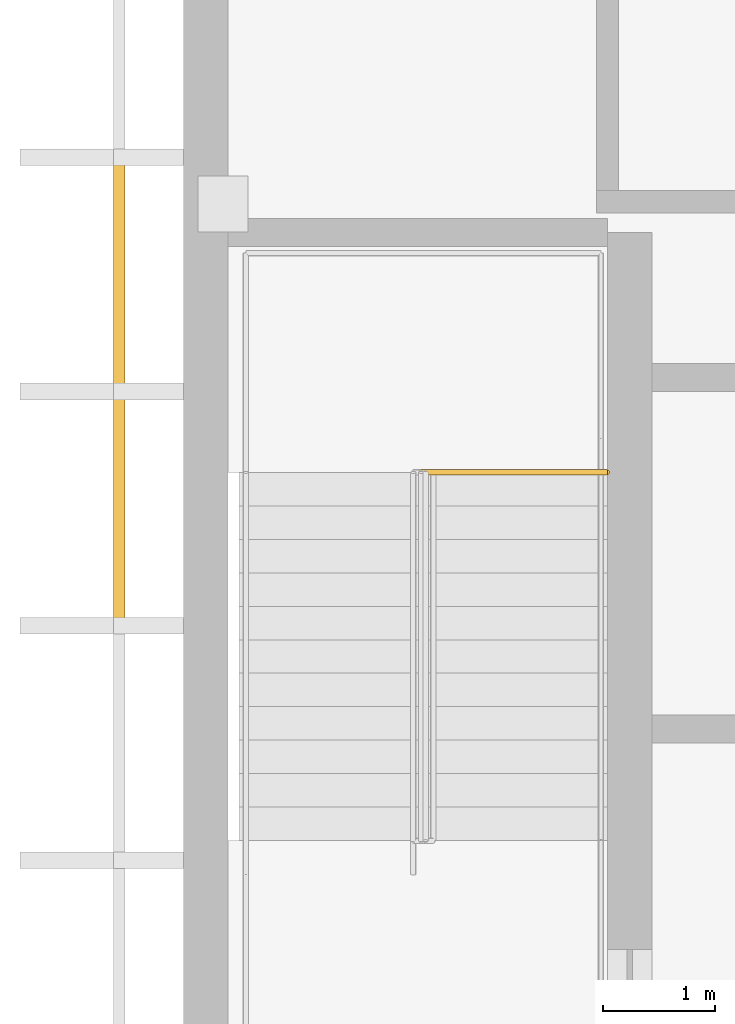
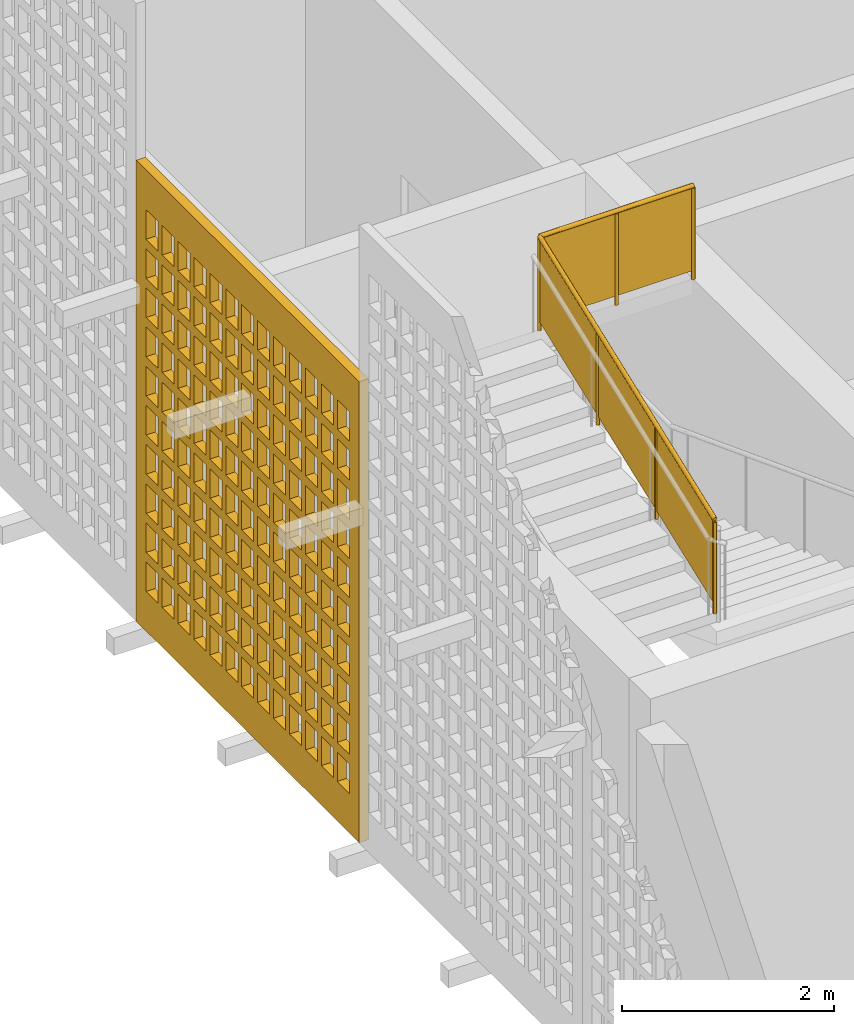
# One storey, part 11 of 23: 1 railing, 1 shading device, 1 opening.
"""IFC4 building model written with IfcOpenShell, lengths in metres."""

from ifc_helpers import new_model, si_unit, direction, frame, origin, origin_2d, place, context, subcontext, project, spatial, polyline, rectangle, circle, outline, extrude, material, layer, layer_set, type_object, element, save


model = new_model("IFC4")

# Units and contexts
model_context = context("Model", 3, precision=1e-05, world=origin(), true_north=direction((0.0, 1.0)))
body_context = subcontext(model_context, "Body", "Model", "MODEL_VIEW")
ifc_project = project(units=[si_unit("LENGTHUNIT", "METRE"), si_unit("AREAUNIT", "SQUARE_METRE"), si_unit("VOLUMEUNIT", "CUBIC_METRE"), si_unit("PLANEANGLEUNIT", "RADIAN"), si_unit("MASSUNIT", "GRAM", prefix="KILO")], contexts=[model_context])

# Site, building, storey
site_placement = place(None, origin())
site = spatial("IfcSite", under=ifc_project, at=site_placement, CompositionType="ELEMENT")
building_placement = place(site_placement, origin())
building = spatial("IfcBuilding", under=site, at=building_placement, Name="Rulbaag Community and Learning Centre", CompositionType="ELEMENT")
storey_placement = place(building_placement, frame((0.0, 0.0, 64.800048828125)))
storey = spatial("IfcBuildingStorey", under=building, at=storey_placement, Name="L17", CompositionType="ELEMENT", Elevation=64.800048828125)

# Railing
ifc_material_1 = material(Name="Galvanised mild steel", Category="steel")
railing_type = type_object("IfcRailingType", Name="GR-1100 GUARD 1100", PredefinedType="GUARDRAIL", material=ifc_material_1)
railing_placement = place(storey_placement, frame((144.929931640625, 94.675048828125, 2.84716796875)))
element("IfcRailing", 1, at=railing_placement, inside=storey, type_object=railing_type, Name="Guard ST1 L17 G3", PredefinedType="GUARDRAIL", context=body_context, shape_type="SweptSolid", body=[
    extrude(circle(Radius=0.02490234375, at=origin_2d()), frame((0.0, 0.0, 1.0751953125), z_axis=(0.0, 0.93490891941, 0.354887746208), x_axis=(-1.0, 0.0, 0.0)), (0.0, 0.0, 1.0), 3.52978515625),
    extrude(circle(Radius=0.02490234375, at=origin_2d()), frame((0.0, 3.300048828125, 2.32763671875), z_axis=(1.0, 0.0, 0.0), x_axis=(0.0, 1.0, 0.0)), (0.0, 0.0, 1.0), 1.670166015625),
    extrude(circle(Radius=0.02001953125, at=origin_2d()), origin(), (0.0, 0.0, 1.0), 1.050048828125),
    extrude(circle(Radius=0.02001953125, at=origin_2d()), frame((0.0, 1.10009765625, 0.41748046875)), (0.0, 0.0, 1.0), 1.050048828125),
    extrude(circle(Radius=0.02001953125, at=origin_2d()), frame((0.0, 2.199951171875, 0.835205078125)), (0.0, 0.0, 1.0), 1.050048828125),
    extrude(circle(Radius=0.02001953125, at=origin_2d()), frame((0.0, 3.300048828125, 1.252685546875)), (0.0, 0.0, 1.0), 1.050048828125),
    extrude(circle(Radius=0.02001953125, at=origin_2d()), frame((0.8349609375, 3.300048828125, 1.252685546875)), (0.0, 0.0, 1.0), 1.050048828125),
    extrude(circle(Radius=0.02001953125, at=origin_2d()), frame((1.670166015625, 3.300048828125, 1.252685546875)), (0.0, 0.0, 1.0), 1.050048828125),
    extrude(outline(polyline([(0.0, 0.0), (3.300048828125, 1.252685546875), (3.300048828125, 2.20263671875), (0.0, 0.949951171875), (0.0, 0.0)])), frame((-0.0048828125, 0.0, 0.10009765625), z_axis=(1.0, 0.0, 0.0), x_axis=(0.0, 1.0, 0.0)), (0.0, 0.0, 1.0), 0.010009765625),
    extrude(outline(polyline([(0.0, 0.0), (1.670166015625, 0.0), (1.670166015625, 0.949951171875), (0.0, 0.949951171875), (0.0, 0.0)])), frame((0.0, 3.30517578125, 1.352783203125), z_axis=(0.0, -1.0, 0.0), x_axis=(1.0, 0.0, 0.0)), (0.0, 0.0, 1.0), 0.010009765625),
])

# Shading device, opening
ifc_material_2 = material(Name="Concrete M40", Category="concrete")
ifc_layer = layer(ifc_material_2, 0.10009765625)
ifc_layer_set = layer_set([ifc_layer], Name="JC-4")
shading_device_type = type_object("IfcShadingDeviceType", Name="JC-4", PredefinedType="SHUTTER", material=ifc_layer_set)
shading_device_placement = place(storey_placement, frame((142.22509765625, 98.699951171875, 0.0), z_axis=(0.0, 0.0, 1.0), x_axis=(1.0, 0.0, 0.0)))
shading_device = element("IfcShadingDevice", 2, at=shading_device_placement, inside=storey, type_object=shading_device_type, Name="Jaali lantern screen", PredefinedType="SHUTTER", context=body_context, shape_type="SweptSolid", body=[
    extrude(rectangle(XDim=0.10009765625, YDim=4.199951171875, at=origin_2d()), origin(), (0.0, 0.0, 1.0), 5.300048828125),
])
opening_placement = place(shading_device_placement, origin())
element("IfcOpeningElement", 3, at=opening_placement, cuts=shading_device, Name="Perforation JC4", PredefinedType="OPENING", context=body_context, shape_type="SweptSolid", body=[
    extrude(rectangle(XDim=0.22509765625, YDim=0.340087890625, at=origin_2d()), frame((-0.06005859375, -1.800048828125, 0.625), z_axis=(1.0, 0.0, 0.0), x_axis=(0.0, 1.0, 0.0)), (0.0, 0.0, 1.0), 0.1201171875),
    extrude(rectangle(XDim=0.22509765625, YDim=0.340087890625, at=origin_2d()), frame((-0.06005859375, -1.5, 0.625), z_axis=(1.0, 0.0, 0.0), x_axis=(0.0, 1.0, 0.0)), (0.0, 0.0, 1.0), 0.1201171875),
    extrude(rectangle(XDim=0.22509765625, YDim=0.340087890625, at=origin_2d()), frame((-0.06005859375, -1.199951171875, 0.625), z_axis=(1.0, 0.0, 0.0), x_axis=(0.0, 1.0, 0.0)), (0.0, 0.0, 1.0), 0.1201171875),
    extrude(rectangle(XDim=0.22509765625, YDim=0.340087890625, at=origin_2d()), frame((-0.06005859375, -0.89990234375, 0.625), z_axis=(1.0, 0.0, 0.0), x_axis=(0.0, 1.0, 0.0)), (0.0, 0.0, 1.0), 0.1201171875),
    extrude(rectangle(XDim=0.22509765625, YDim=0.340087890625, at=origin_2d()), frame((-0.06005859375, -0.60009765625, 0.625), z_axis=(1.0, 0.0, 0.0), x_axis=(0.0, 1.0, 0.0)), (0.0, 0.0, 1.0), 0.1201171875),
    extrude(rectangle(XDim=0.22509765625, YDim=0.340087890625, at=origin_2d()), frame((-0.06005859375, -0.300048828125, 0.625), z_axis=(1.0, 0.0, 0.0), x_axis=(0.0, 1.0, 0.0)), (0.0, 0.0, 1.0), 0.1201171875),
    extrude(rectangle(XDim=0.22509765625, YDim=0.340087890625, at=origin_2d()), frame((-0.06005859375, 0.0, 0.625), z_axis=(1.0, 0.0, 0.0), x_axis=(0.0, 1.0, 0.0)), (0.0, 0.0, 1.0), 0.1201171875),
    extrude(rectangle(XDim=0.22509765625, YDim=0.340087890625, at=origin_2d()), frame((-0.06005859375, 0.300048828125, 0.625), z_axis=(1.0, 0.0, 0.0), x_axis=(0.0, 1.0, 0.0)), (0.0, 0.0, 1.0), 0.1201171875),
    extrude(rectangle(XDim=0.22509765625, YDim=0.340087890625, at=origin_2d()), frame((-0.06005859375, 0.60009765625, 0.625), z_axis=(1.0, 0.0, 0.0), x_axis=(0.0, 1.0, 0.0)), (0.0, 0.0, 1.0), 0.1201171875),
    extrude(rectangle(XDim=0.22509765625, YDim=0.340087890625, at=origin_2d()), frame((-0.06005859375, 0.89990234375, 0.625), z_axis=(1.0, 0.0, 0.0), x_axis=(0.0, 1.0, 0.0)), (0.0, 0.0, 1.0), 0.1201171875),
    extrude(rectangle(XDim=0.22509765625, YDim=0.340087890625, at=origin_2d()), frame((-0.06005859375, 1.199951171875, 0.625), z_axis=(1.0, 0.0, 0.0), x_axis=(0.0, 1.0, 0.0)), (0.0, 0.0, 1.0), 0.1201171875),
    extrude(rectangle(XDim=0.22509765625, YDim=0.340087890625, at=origin_2d()), frame((-0.06005859375, 1.5, 0.625), z_axis=(1.0, 0.0, 0.0), x_axis=(0.0, 1.0, 0.0)), (0.0, 0.0, 1.0), 0.1201171875),
    extrude(rectangle(XDim=0.22509765625, YDim=0.340087890625, at=origin_2d()), frame((-0.06005859375, 1.800048828125, 0.625), z_axis=(1.0, 0.0, 0.0), x_axis=(0.0, 1.0, 0.0)), (0.0, 0.0, 1.0), 0.1201171875),
    extrude(rectangle(XDim=0.22509765625, YDim=0.340087890625, at=origin_2d()), frame((-0.06005859375, -1.800048828125, 1.074951171875), z_axis=(1.0, 0.0, 0.0), x_axis=(0.0, 1.0, 0.0)), (0.0, 0.0, 1.0), 0.1201171875),
    extrude(rectangle(XDim=0.22509765625, YDim=0.340087890625, at=origin_2d()), frame((-0.06005859375, -1.5, 1.074951171875), z_axis=(1.0, 0.0, 0.0), x_axis=(0.0, 1.0, 0.0)), (0.0, 0.0, 1.0), 0.1201171875),
    extrude(rectangle(XDim=0.22509765625, YDim=0.340087890625, at=origin_2d()), frame((-0.06005859375, -1.199951171875, 1.074951171875), z_axis=(1.0, 0.0, 0.0), x_axis=(0.0, 1.0, 0.0)), (0.0, 0.0, 1.0), 0.1201171875),
    extrude(rectangle(XDim=0.22509765625, YDim=0.340087890625, at=origin_2d()), frame((-0.06005859375, -0.89990234375, 1.074951171875), z_axis=(1.0, 0.0, 0.0), x_axis=(0.0, 1.0, 0.0)), (0.0, 0.0, 1.0), 0.1201171875),
    extrude(rectangle(XDim=0.22509765625, YDim=0.340087890625, at=origin_2d()), frame((-0.06005859375, -0.60009765625, 1.074951171875), z_axis=(1.0, 0.0, 0.0), x_axis=(0.0, 1.0, 0.0)), (0.0, 0.0, 1.0), 0.1201171875),
    extrude(rectangle(XDim=0.22509765625, YDim=0.340087890625, at=origin_2d()), frame((-0.06005859375, -0.300048828125, 1.074951171875), z_axis=(1.0, 0.0, 0.0), x_axis=(0.0, 1.0, 0.0)), (0.0, 0.0, 1.0), 0.1201171875),
    extrude(rectangle(XDim=0.22509765625, YDim=0.340087890625, at=origin_2d()), frame((-0.06005859375, 0.0, 1.074951171875), z_axis=(1.0, 0.0, 0.0), x_axis=(0.0, 1.0, 0.0)), (0.0, 0.0, 1.0), 0.1201171875),
    extrude(rectangle(XDim=0.22509765625, YDim=0.340087890625, at=origin_2d()), frame((-0.06005859375, 0.300048828125, 1.074951171875), z_axis=(1.0, 0.0, 0.0), x_axis=(0.0, 1.0, 0.0)), (0.0, 0.0, 1.0), 0.1201171875),
    extrude(rectangle(XDim=0.22509765625, YDim=0.340087890625, at=origin_2d()), frame((-0.06005859375, 0.60009765625, 1.074951171875), z_axis=(1.0, 0.0, 0.0), x_axis=(0.0, 1.0, 0.0)), (0.0, 0.0, 1.0), 0.1201171875),
    extrude(rectangle(XDim=0.22509765625, YDim=0.340087890625, at=origin_2d()), frame((-0.06005859375, 0.89990234375, 1.074951171875), z_axis=(1.0, 0.0, 0.0), x_axis=(0.0, 1.0, 0.0)), (0.0, 0.0, 1.0), 0.1201171875),
    extrude(rectangle(XDim=0.22509765625, YDim=0.340087890625, at=origin_2d()), frame((-0.06005859375, 1.199951171875, 1.074951171875), z_axis=(1.0, 0.0, 0.0), x_axis=(0.0, 1.0, 0.0)), (0.0, 0.0, 1.0), 0.1201171875),
    extrude(rectangle(XDim=0.22509765625, YDim=0.340087890625, at=origin_2d()), frame((-0.06005859375, 1.5, 1.074951171875), z_axis=(1.0, 0.0, 0.0), x_axis=(0.0, 1.0, 0.0)), (0.0, 0.0, 1.0), 0.1201171875),
    extrude(rectangle(XDim=0.22509765625, YDim=0.340087890625, at=origin_2d()), frame((-0.06005859375, 1.800048828125, 1.074951171875), z_axis=(1.0, 0.0, 0.0), x_axis=(0.0, 1.0, 0.0)), (0.0, 0.0, 1.0), 0.1201171875),
    extrude(rectangle(XDim=0.22509765625, YDim=0.340087890625, at=origin_2d()), frame((-0.06005859375, -1.800048828125, 1.52490234375), z_axis=(1.0, 0.0, 0.0), x_axis=(0.0, 1.0, 0.0)), (0.0, 0.0, 1.0), 0.1201171875),
    extrude(rectangle(XDim=0.22509765625, YDim=0.340087890625, at=origin_2d()), frame((-0.06005859375, -1.5, 1.52490234375), z_axis=(1.0, 0.0, 0.0), x_axis=(0.0, 1.0, 0.0)), (0.0, 0.0, 1.0), 0.1201171875),
    extrude(rectangle(XDim=0.22509765625, YDim=0.340087890625, at=origin_2d()), frame((-0.06005859375, -1.199951171875, 1.52490234375), z_axis=(1.0, 0.0, 0.0), x_axis=(0.0, 1.0, 0.0)), (0.0, 0.0, 1.0), 0.1201171875),
    extrude(rectangle(XDim=0.22509765625, YDim=0.340087890625, at=origin_2d()), frame((-0.06005859375, -0.89990234375, 1.52490234375), z_axis=(1.0, 0.0, 0.0), x_axis=(0.0, 1.0, 0.0)), (0.0, 0.0, 1.0), 0.1201171875),
    extrude(rectangle(XDim=0.22509765625, YDim=0.340087890625, at=origin_2d()), frame((-0.06005859375, -0.60009765625, 1.52490234375), z_axis=(1.0, 0.0, 0.0), x_axis=(0.0, 1.0, 0.0)), (0.0, 0.0, 1.0), 0.1201171875),
    extrude(rectangle(XDim=0.22509765625, YDim=0.340087890625, at=origin_2d()), frame((-0.06005859375, -0.300048828125, 1.52490234375), z_axis=(1.0, 0.0, 0.0), x_axis=(0.0, 1.0, 0.0)), (0.0, 0.0, 1.0), 0.1201171875),
    extrude(rectangle(XDim=0.22509765625, YDim=0.340087890625, at=origin_2d()), frame((-0.06005859375, 0.0, 1.52490234375), z_axis=(1.0, 0.0, 0.0), x_axis=(0.0, 1.0, 0.0)), (0.0, 0.0, 1.0), 0.1201171875),
    extrude(rectangle(XDim=0.22509765625, YDim=0.340087890625, at=origin_2d()), frame((-0.06005859375, 0.300048828125, 1.52490234375), z_axis=(1.0, 0.0, 0.0), x_axis=(0.0, 1.0, 0.0)), (0.0, 0.0, 1.0), 0.1201171875),
    extrude(rectangle(XDim=0.22509765625, YDim=0.340087890625, at=origin_2d()), frame((-0.06005859375, 0.60009765625, 1.52490234375), z_axis=(1.0, 0.0, 0.0), x_axis=(0.0, 1.0, 0.0)), (0.0, 0.0, 1.0), 0.1201171875),
    extrude(rectangle(XDim=0.22509765625, YDim=0.340087890625, at=origin_2d()), frame((-0.06005859375, 0.89990234375, 1.52490234375), z_axis=(1.0, 0.0, 0.0), x_axis=(0.0, 1.0, 0.0)), (0.0, 0.0, 1.0), 0.1201171875),
    extrude(rectangle(XDim=0.22509765625, YDim=0.340087890625, at=origin_2d()), frame((-0.06005859375, 1.199951171875, 1.52490234375), z_axis=(1.0, 0.0, 0.0), x_axis=(0.0, 1.0, 0.0)), (0.0, 0.0, 1.0), 0.1201171875),
    extrude(rectangle(XDim=0.22509765625, YDim=0.340087890625, at=origin_2d()), frame((-0.06005859375, 1.5, 1.52490234375), z_axis=(1.0, 0.0, 0.0), x_axis=(0.0, 1.0, 0.0)), (0.0, 0.0, 1.0), 0.1201171875),
    extrude(rectangle(XDim=0.22509765625, YDim=0.340087890625, at=origin_2d()), frame((-0.06005859375, 1.800048828125, 1.52490234375), z_axis=(1.0, 0.0, 0.0), x_axis=(0.0, 1.0, 0.0)), (0.0, 0.0, 1.0), 0.1201171875),
    extrude(rectangle(XDim=0.22509765625, YDim=0.340087890625, at=origin_2d()), frame((-0.06005859375, -1.800048828125, 1.97509765625), z_axis=(1.0, 0.0, 0.0), x_axis=(0.0, 1.0, 0.0)), (0.0, 0.0, 1.0), 0.1201171875),
    extrude(rectangle(XDim=0.22509765625, YDim=0.340087890625, at=origin_2d()), frame((-0.06005859375, -1.5, 1.97509765625), z_axis=(1.0, 0.0, 0.0), x_axis=(0.0, 1.0, 0.0)), (0.0, 0.0, 1.0), 0.1201171875),
    extrude(rectangle(XDim=0.22509765625, YDim=0.340087890625, at=origin_2d()), frame((-0.06005859375, -1.199951171875, 1.97509765625), z_axis=(1.0, 0.0, 0.0), x_axis=(0.0, 1.0, 0.0)), (0.0, 0.0, 1.0), 0.1201171875),
    extrude(rectangle(XDim=0.22509765625, YDim=0.340087890625, at=origin_2d()), frame((-0.06005859375, -0.89990234375, 1.97509765625), z_axis=(1.0, 0.0, 0.0), x_axis=(0.0, 1.0, 0.0)), (0.0, 0.0, 1.0), 0.1201171875),
    extrude(rectangle(XDim=0.22509765625, YDim=0.340087890625, at=origin_2d()), frame((-0.06005859375, -0.60009765625, 1.97509765625), z_axis=(1.0, 0.0, 0.0), x_axis=(0.0, 1.0, 0.0)), (0.0, 0.0, 1.0), 0.1201171875),
    extrude(rectangle(XDim=0.22509765625, YDim=0.340087890625, at=origin_2d()), frame((-0.06005859375, -0.300048828125, 1.97509765625), z_axis=(1.0, 0.0, 0.0), x_axis=(0.0, 1.0, 0.0)), (0.0, 0.0, 1.0), 0.1201171875),
    extrude(rectangle(XDim=0.22509765625, YDim=0.340087890625, at=origin_2d()), frame((-0.06005859375, 0.0, 1.97509765625), z_axis=(1.0, 0.0, 0.0), x_axis=(0.0, 1.0, 0.0)), (0.0, 0.0, 1.0), 0.1201171875),
    extrude(rectangle(XDim=0.22509765625, YDim=0.340087890625, at=origin_2d()), frame((-0.06005859375, 0.300048828125, 1.97509765625), z_axis=(1.0, 0.0, 0.0), x_axis=(0.0, 1.0, 0.0)), (0.0, 0.0, 1.0), 0.1201171875),
    extrude(rectangle(XDim=0.22509765625, YDim=0.340087890625, at=origin_2d()), frame((-0.06005859375, 0.60009765625, 1.97509765625), z_axis=(1.0, 0.0, 0.0), x_axis=(0.0, 1.0, 0.0)), (0.0, 0.0, 1.0), 0.1201171875),
    extrude(rectangle(XDim=0.22509765625, YDim=0.340087890625, at=origin_2d()), frame((-0.06005859375, 0.89990234375, 1.97509765625), z_axis=(1.0, 0.0, 0.0), x_axis=(0.0, 1.0, 0.0)), (0.0, 0.0, 1.0), 0.1201171875),
    extrude(rectangle(XDim=0.22509765625, YDim=0.340087890625, at=origin_2d()), frame((-0.06005859375, 1.199951171875, 1.97509765625), z_axis=(1.0, 0.0, 0.0), x_axis=(0.0, 1.0, 0.0)), (0.0, 0.0, 1.0), 0.1201171875),
    extrude(rectangle(XDim=0.22509765625, YDim=0.340087890625, at=origin_2d()), frame((-0.06005859375, 1.5, 1.97509765625), z_axis=(1.0, 0.0, 0.0), x_axis=(0.0, 1.0, 0.0)), (0.0, 0.0, 1.0), 0.1201171875),
    extrude(rectangle(XDim=0.22509765625, YDim=0.340087890625, at=origin_2d()), frame((-0.06005859375, 1.800048828125, 1.97509765625), z_axis=(1.0, 0.0, 0.0), x_axis=(0.0, 1.0, 0.0)), (0.0, 0.0, 1.0), 0.1201171875),
    extrude(rectangle(XDim=0.22509765625, YDim=0.340087890625, at=origin_2d()), frame((-0.06005859375, -1.800048828125, 2.425048828125), z_axis=(1.0, 0.0, 0.0), x_axis=(0.0, 1.0, 0.0)), (0.0, 0.0, 1.0), 0.1201171875),
    extrude(rectangle(XDim=0.22509765625, YDim=0.340087890625, at=origin_2d()), frame((-0.06005859375, -1.5, 2.425048828125), z_axis=(1.0, 0.0, 0.0), x_axis=(0.0, 1.0, 0.0)), (0.0, 0.0, 1.0), 0.1201171875),
    extrude(rectangle(XDim=0.22509765625, YDim=0.340087890625, at=origin_2d()), frame((-0.06005859375, -1.199951171875, 2.425048828125), z_axis=(1.0, 0.0, 0.0), x_axis=(0.0, 1.0, 0.0)), (0.0, 0.0, 1.0), 0.1201171875),
    extrude(rectangle(XDim=0.22509765625, YDim=0.340087890625, at=origin_2d()), frame((-0.06005859375, -0.89990234375, 2.425048828125), z_axis=(1.0, 0.0, 0.0), x_axis=(0.0, 1.0, 0.0)), (0.0, 0.0, 1.0), 0.1201171875),
    extrude(rectangle(XDim=0.22509765625, YDim=0.340087890625, at=origin_2d()), frame((-0.06005859375, -0.60009765625, 2.425048828125), z_axis=(1.0, 0.0, 0.0), x_axis=(0.0, 1.0, 0.0)), (0.0, 0.0, 1.0), 0.1201171875),
    extrude(rectangle(XDim=0.22509765625, YDim=0.340087890625, at=origin_2d()), frame((-0.06005859375, -0.300048828125, 2.425048828125), z_axis=(1.0, 0.0, 0.0), x_axis=(0.0, 1.0, 0.0)), (0.0, 0.0, 1.0), 0.1201171875),
    extrude(rectangle(XDim=0.22509765625, YDim=0.340087890625, at=origin_2d()), frame((-0.06005859375, 0.0, 2.425048828125), z_axis=(1.0, 0.0, 0.0), x_axis=(0.0, 1.0, 0.0)), (0.0, 0.0, 1.0), 0.1201171875),
    extrude(rectangle(XDim=0.22509765625, YDim=0.340087890625, at=origin_2d()), frame((-0.06005859375, 0.300048828125, 2.425048828125), z_axis=(1.0, 0.0, 0.0), x_axis=(0.0, 1.0, 0.0)), (0.0, 0.0, 1.0), 0.1201171875),
    extrude(rectangle(XDim=0.22509765625, YDim=0.340087890625, at=origin_2d()), frame((-0.06005859375, 0.60009765625, 2.425048828125), z_axis=(1.0, 0.0, 0.0), x_axis=(0.0, 1.0, 0.0)), (0.0, 0.0, 1.0), 0.1201171875),
    extrude(rectangle(XDim=0.22509765625, YDim=0.340087890625, at=origin_2d()), frame((-0.06005859375, 0.89990234375, 2.425048828125), z_axis=(1.0, 0.0, 0.0), x_axis=(0.0, 1.0, 0.0)), (0.0, 0.0, 1.0), 0.1201171875),
    extrude(rectangle(XDim=0.22509765625, YDim=0.340087890625, at=origin_2d()), frame((-0.06005859375, 1.199951171875, 2.425048828125), z_axis=(1.0, 0.0, 0.0), x_axis=(0.0, 1.0, 0.0)), (0.0, 0.0, 1.0), 0.1201171875),
    extrude(rectangle(XDim=0.22509765625, YDim=0.340087890625, at=origin_2d()), frame((-0.06005859375, 1.5, 2.425048828125), z_axis=(1.0, 0.0, 0.0), x_axis=(0.0, 1.0, 0.0)), (0.0, 0.0, 1.0), 0.1201171875),
    extrude(rectangle(XDim=0.22509765625, YDim=0.340087890625, at=origin_2d()), frame((-0.06005859375, 1.800048828125, 2.425048828125), z_axis=(1.0, 0.0, 0.0), x_axis=(0.0, 1.0, 0.0)), (0.0, 0.0, 1.0), 0.1201171875),
    extrude(rectangle(XDim=0.22509765625, YDim=0.340087890625, at=origin_2d()), frame((-0.06005859375, -1.800048828125, 2.875), z_axis=(1.0, 0.0, 0.0), x_axis=(0.0, 1.0, 0.0)), (0.0, 0.0, 1.0), 0.1201171875),
    extrude(rectangle(XDim=0.22509765625, YDim=0.340087890625, at=origin_2d()), frame((-0.06005859375, -1.5, 2.875), z_axis=(1.0, 0.0, 0.0), x_axis=(0.0, 1.0, 0.0)), (0.0, 0.0, 1.0), 0.1201171875),
    extrude(rectangle(XDim=0.22509765625, YDim=0.340087890625, at=origin_2d()), frame((-0.06005859375, -1.199951171875, 2.875), z_axis=(1.0, 0.0, 0.0), x_axis=(0.0, 1.0, 0.0)), (0.0, 0.0, 1.0), 0.1201171875),
    extrude(rectangle(XDim=0.22509765625, YDim=0.340087890625, at=origin_2d()), frame((-0.06005859375, -0.89990234375, 2.875), z_axis=(1.0, 0.0, 0.0), x_axis=(0.0, 1.0, 0.0)), (0.0, 0.0, 1.0), 0.1201171875),
    extrude(rectangle(XDim=0.22509765625, YDim=0.340087890625, at=origin_2d()), frame((-0.06005859375, -0.60009765625, 2.875), z_axis=(1.0, 0.0, 0.0), x_axis=(0.0, 1.0, 0.0)), (0.0, 0.0, 1.0), 0.1201171875),
    extrude(rectangle(XDim=0.22509765625, YDim=0.340087890625, at=origin_2d()), frame((-0.06005859375, -0.300048828125, 2.875), z_axis=(1.0, 0.0, 0.0), x_axis=(0.0, 1.0, 0.0)), (0.0, 0.0, 1.0), 0.1201171875),
    extrude(rectangle(XDim=0.22509765625, YDim=0.340087890625, at=origin_2d()), frame((-0.06005859375, 0.0, 2.875), z_axis=(1.0, 0.0, 0.0), x_axis=(0.0, 1.0, 0.0)), (0.0, 0.0, 1.0), 0.1201171875),
    extrude(rectangle(XDim=0.22509765625, YDim=0.340087890625, at=origin_2d()), frame((-0.06005859375, 0.300048828125, 2.875), z_axis=(1.0, 0.0, 0.0), x_axis=(0.0, 1.0, 0.0)), (0.0, 0.0, 1.0), 0.1201171875),
    extrude(rectangle(XDim=0.22509765625, YDim=0.340087890625, at=origin_2d()), frame((-0.06005859375, 0.60009765625, 2.875), z_axis=(1.0, 0.0, 0.0), x_axis=(0.0, 1.0, 0.0)), (0.0, 0.0, 1.0), 0.1201171875),
    extrude(rectangle(XDim=0.22509765625, YDim=0.340087890625, at=origin_2d()), frame((-0.06005859375, 0.89990234375, 2.875), z_axis=(1.0, 0.0, 0.0), x_axis=(0.0, 1.0, 0.0)), (0.0, 0.0, 1.0), 0.1201171875),
    extrude(rectangle(XDim=0.22509765625, YDim=0.340087890625, at=origin_2d()), frame((-0.06005859375, 1.199951171875, 2.875), z_axis=(1.0, 0.0, 0.0), x_axis=(0.0, 1.0, 0.0)), (0.0, 0.0, 1.0), 0.1201171875),
    extrude(rectangle(XDim=0.22509765625, YDim=0.340087890625, at=origin_2d()), frame((-0.06005859375, 1.5, 2.875), z_axis=(1.0, 0.0, 0.0), x_axis=(0.0, 1.0, 0.0)), (0.0, 0.0, 1.0), 0.1201171875),
    extrude(rectangle(XDim=0.22509765625, YDim=0.340087890625, at=origin_2d()), frame((-0.06005859375, 1.800048828125, 2.875), z_axis=(1.0, 0.0, 0.0), x_axis=(0.0, 1.0, 0.0)), (0.0, 0.0, 1.0), 0.1201171875),
    extrude(rectangle(XDim=0.22509765625, YDim=0.340087890625, at=origin_2d()), frame((-0.06005859375, -1.800048828125, 3.324951171875), z_axis=(1.0, 0.0, 0.0), x_axis=(0.0, 1.0, 0.0)), (0.0, 0.0, 1.0), 0.1201171875),
    extrude(rectangle(XDim=0.22509765625, YDim=0.340087890625, at=origin_2d()), frame((-0.06005859375, -1.5, 3.324951171875), z_axis=(1.0, 0.0, 0.0), x_axis=(0.0, 1.0, 0.0)), (0.0, 0.0, 1.0), 0.1201171875),
    extrude(rectangle(XDim=0.22509765625, YDim=0.340087890625, at=origin_2d()), frame((-0.06005859375, -1.199951171875, 3.324951171875), z_axis=(1.0, 0.0, 0.0), x_axis=(0.0, 1.0, 0.0)), (0.0, 0.0, 1.0), 0.1201171875),
    extrude(rectangle(XDim=0.22509765625, YDim=0.340087890625, at=origin_2d()), frame((-0.06005859375, -0.89990234375, 3.324951171875), z_axis=(1.0, 0.0, 0.0), x_axis=(0.0, 1.0, 0.0)), (0.0, 0.0, 1.0), 0.1201171875),
    extrude(rectangle(XDim=0.22509765625, YDim=0.340087890625, at=origin_2d()), frame((-0.06005859375, -0.60009765625, 3.324951171875), z_axis=(1.0, 0.0, 0.0), x_axis=(0.0, 1.0, 0.0)), (0.0, 0.0, 1.0), 0.1201171875),
    extrude(rectangle(XDim=0.22509765625, YDim=0.340087890625, at=origin_2d()), frame((-0.06005859375, -0.300048828125, 3.324951171875), z_axis=(1.0, 0.0, 0.0), x_axis=(0.0, 1.0, 0.0)), (0.0, 0.0, 1.0), 0.1201171875),
    extrude(rectangle(XDim=0.22509765625, YDim=0.340087890625, at=origin_2d()), frame((-0.06005859375, 0.0, 3.324951171875), z_axis=(1.0, 0.0, 0.0), x_axis=(0.0, 1.0, 0.0)), (0.0, 0.0, 1.0), 0.1201171875),
    extrude(rectangle(XDim=0.22509765625, YDim=0.340087890625, at=origin_2d()), frame((-0.06005859375, 0.300048828125, 3.324951171875), z_axis=(1.0, 0.0, 0.0), x_axis=(0.0, 1.0, 0.0)), (0.0, 0.0, 1.0), 0.1201171875),
    extrude(rectangle(XDim=0.22509765625, YDim=0.340087890625, at=origin_2d()), frame((-0.06005859375, 0.60009765625, 3.324951171875), z_axis=(1.0, 0.0, 0.0), x_axis=(0.0, 1.0, 0.0)), (0.0, 0.0, 1.0), 0.1201171875),
    extrude(rectangle(XDim=0.22509765625, YDim=0.340087890625, at=origin_2d()), frame((-0.06005859375, 0.89990234375, 3.324951171875), z_axis=(1.0, 0.0, 0.0), x_axis=(0.0, 1.0, 0.0)), (0.0, 0.0, 1.0), 0.1201171875),
    extrude(rectangle(XDim=0.22509765625, YDim=0.340087890625, at=origin_2d()), frame((-0.06005859375, 1.199951171875, 3.324951171875), z_axis=(1.0, 0.0, 0.0), x_axis=(0.0, 1.0, 0.0)), (0.0, 0.0, 1.0), 0.1201171875),
    extrude(rectangle(XDim=0.22509765625, YDim=0.340087890625, at=origin_2d()), frame((-0.06005859375, 1.5, 3.324951171875), z_axis=(1.0, 0.0, 0.0), x_axis=(0.0, 1.0, 0.0)), (0.0, 0.0, 1.0), 0.1201171875),
    extrude(rectangle(XDim=0.22509765625, YDim=0.340087890625, at=origin_2d()), frame((-0.06005859375, 1.800048828125, 3.324951171875), z_axis=(1.0, 0.0, 0.0), x_axis=(0.0, 1.0, 0.0)), (0.0, 0.0, 1.0), 0.1201171875),
    extrude(rectangle(XDim=0.22509765625, YDim=0.340087890625, at=origin_2d()), frame((-0.06005859375, -1.800048828125, 3.77490234375), z_axis=(1.0, 0.0, 0.0), x_axis=(0.0, 1.0, 0.0)), (0.0, 0.0, 1.0), 0.1201171875),
    extrude(rectangle(XDim=0.22509765625, YDim=0.340087890625, at=origin_2d()), frame((-0.06005859375, -1.5, 3.77490234375), z_axis=(1.0, 0.0, 0.0), x_axis=(0.0, 1.0, 0.0)), (0.0, 0.0, 1.0), 0.1201171875),
    extrude(rectangle(XDim=0.22509765625, YDim=0.340087890625, at=origin_2d()), frame((-0.06005859375, -1.199951171875, 3.77490234375), z_axis=(1.0, 0.0, 0.0), x_axis=(0.0, 1.0, 0.0)), (0.0, 0.0, 1.0), 0.1201171875),
    extrude(rectangle(XDim=0.22509765625, YDim=0.340087890625, at=origin_2d()), frame((-0.06005859375, -0.89990234375, 3.77490234375), z_axis=(1.0, 0.0, 0.0), x_axis=(0.0, 1.0, 0.0)), (0.0, 0.0, 1.0), 0.1201171875),
    extrude(rectangle(XDim=0.22509765625, YDim=0.340087890625, at=origin_2d()), frame((-0.06005859375, -0.60009765625, 3.77490234375), z_axis=(1.0, 0.0, 0.0), x_axis=(0.0, 1.0, 0.0)), (0.0, 0.0, 1.0), 0.1201171875),
    extrude(rectangle(XDim=0.22509765625, YDim=0.340087890625, at=origin_2d()), frame((-0.06005859375, -0.300048828125, 3.77490234375), z_axis=(1.0, 0.0, 0.0), x_axis=(0.0, 1.0, 0.0)), (0.0, 0.0, 1.0), 0.1201171875),
    extrude(rectangle(XDim=0.22509765625, YDim=0.340087890625, at=origin_2d()), frame((-0.06005859375, 0.0, 3.77490234375), z_axis=(1.0, 0.0, 0.0), x_axis=(0.0, 1.0, 0.0)), (0.0, 0.0, 1.0), 0.1201171875),
    extrude(rectangle(XDim=0.22509765625, YDim=0.340087890625, at=origin_2d()), frame((-0.06005859375, 0.300048828125, 3.77490234375), z_axis=(1.0, 0.0, 0.0), x_axis=(0.0, 1.0, 0.0)), (0.0, 0.0, 1.0), 0.1201171875),
    extrude(rectangle(XDim=0.22509765625, YDim=0.340087890625, at=origin_2d()), frame((-0.06005859375, 0.60009765625, 3.77490234375), z_axis=(1.0, 0.0, 0.0), x_axis=(0.0, 1.0, 0.0)), (0.0, 0.0, 1.0), 0.1201171875),
    extrude(rectangle(XDim=0.22509765625, YDim=0.340087890625, at=origin_2d()), frame((-0.06005859375, 0.89990234375, 3.77490234375), z_axis=(1.0, 0.0, 0.0), x_axis=(0.0, 1.0, 0.0)), (0.0, 0.0, 1.0), 0.1201171875),
    extrude(rectangle(XDim=0.22509765625, YDim=0.340087890625, at=origin_2d()), frame((-0.06005859375, 1.199951171875, 3.77490234375), z_axis=(1.0, 0.0, 0.0), x_axis=(0.0, 1.0, 0.0)), (0.0, 0.0, 1.0), 0.1201171875),
    extrude(rectangle(XDim=0.22509765625, YDim=0.340087890625, at=origin_2d()), frame((-0.06005859375, 1.5, 3.77490234375), z_axis=(1.0, 0.0, 0.0), x_axis=(0.0, 1.0, 0.0)), (0.0, 0.0, 1.0), 0.1201171875),
    extrude(rectangle(XDim=0.22509765625, YDim=0.340087890625, at=origin_2d()), frame((-0.06005859375, 1.800048828125, 3.77490234375), z_axis=(1.0, 0.0, 0.0), x_axis=(0.0, 1.0, 0.0)), (0.0, 0.0, 1.0), 0.1201171875),
    extrude(rectangle(XDim=0.22509765625, YDim=0.340087890625, at=origin_2d()), frame((-0.06005859375, -1.800048828125, 4.22509765625), z_axis=(1.0, 0.0, 0.0), x_axis=(0.0, 1.0, 0.0)), (0.0, 0.0, 1.0), 0.1201171875),
    extrude(rectangle(XDim=0.22509765625, YDim=0.340087890625, at=origin_2d()), frame((-0.06005859375, -1.5, 4.22509765625), z_axis=(1.0, 0.0, 0.0), x_axis=(0.0, 1.0, 0.0)), (0.0, 0.0, 1.0), 0.1201171875),
    extrude(rectangle(XDim=0.22509765625, YDim=0.340087890625, at=origin_2d()), frame((-0.06005859375, -1.199951171875, 4.22509765625), z_axis=(1.0, 0.0, 0.0), x_axis=(0.0, 1.0, 0.0)), (0.0, 0.0, 1.0), 0.1201171875),
    extrude(rectangle(XDim=0.22509765625, YDim=0.340087890625, at=origin_2d()), frame((-0.06005859375, -0.89990234375, 4.22509765625), z_axis=(1.0, 0.0, 0.0), x_axis=(0.0, 1.0, 0.0)), (0.0, 0.0, 1.0), 0.1201171875),
    extrude(rectangle(XDim=0.22509765625, YDim=0.340087890625, at=origin_2d()), frame((-0.06005859375, -0.60009765625, 4.22509765625), z_axis=(1.0, 0.0, 0.0), x_axis=(0.0, 1.0, 0.0)), (0.0, 0.0, 1.0), 0.1201171875),
    extrude(rectangle(XDim=0.22509765625, YDim=0.340087890625, at=origin_2d()), frame((-0.06005859375, -0.300048828125, 4.22509765625), z_axis=(1.0, 0.0, 0.0), x_axis=(0.0, 1.0, 0.0)), (0.0, 0.0, 1.0), 0.1201171875),
    extrude(rectangle(XDim=0.22509765625, YDim=0.340087890625, at=origin_2d()), frame((-0.06005859375, 0.0, 4.22509765625), z_axis=(1.0, 0.0, 0.0), x_axis=(0.0, 1.0, 0.0)), (0.0, 0.0, 1.0), 0.1201171875),
    extrude(rectangle(XDim=0.22509765625, YDim=0.340087890625, at=origin_2d()), frame((-0.06005859375, 0.300048828125, 4.22509765625), z_axis=(1.0, 0.0, 0.0), x_axis=(0.0, 1.0, 0.0)), (0.0, 0.0, 1.0), 0.1201171875),
    extrude(rectangle(XDim=0.22509765625, YDim=0.340087890625, at=origin_2d()), frame((-0.06005859375, 0.60009765625, 4.22509765625), z_axis=(1.0, 0.0, 0.0), x_axis=(0.0, 1.0, 0.0)), (0.0, 0.0, 1.0), 0.1201171875),
    extrude(rectangle(XDim=0.22509765625, YDim=0.340087890625, at=origin_2d()), frame((-0.06005859375, 0.89990234375, 4.22509765625), z_axis=(1.0, 0.0, 0.0), x_axis=(0.0, 1.0, 0.0)), (0.0, 0.0, 1.0), 0.1201171875),
    extrude(rectangle(XDim=0.22509765625, YDim=0.340087890625, at=origin_2d()), frame((-0.06005859375, 1.199951171875, 4.22509765625), z_axis=(1.0, 0.0, 0.0), x_axis=(0.0, 1.0, 0.0)), (0.0, 0.0, 1.0), 0.1201171875),
    extrude(rectangle(XDim=0.22509765625, YDim=0.340087890625, at=origin_2d()), frame((-0.06005859375, 1.5, 4.22509765625), z_axis=(1.0, 0.0, 0.0), x_axis=(0.0, 1.0, 0.0)), (0.0, 0.0, 1.0), 0.1201171875),
    extrude(rectangle(XDim=0.22509765625, YDim=0.340087890625, at=origin_2d()), frame((-0.06005859375, 1.800048828125, 4.22509765625), z_axis=(1.0, 0.0, 0.0), x_axis=(0.0, 1.0, 0.0)), (0.0, 0.0, 1.0), 0.1201171875),
    extrude(rectangle(XDim=0.22509765625, YDim=0.340087890625, at=origin_2d()), frame((-0.06005859375, -1.800048828125, 4.675048828125), z_axis=(1.0, 0.0, 0.0), x_axis=(0.0, 1.0, 0.0)), (0.0, 0.0, 1.0), 0.1201171875),
    extrude(rectangle(XDim=0.22509765625, YDim=0.340087890625, at=origin_2d()), frame((-0.06005859375, -1.5, 4.675048828125), z_axis=(1.0, 0.0, 0.0), x_axis=(0.0, 1.0, 0.0)), (0.0, 0.0, 1.0), 0.1201171875),
    extrude(rectangle(XDim=0.22509765625, YDim=0.340087890625, at=origin_2d()), frame((-0.06005859375, -1.199951171875, 4.675048828125), z_axis=(1.0, 0.0, 0.0), x_axis=(0.0, 1.0, 0.0)), (0.0, 0.0, 1.0), 0.1201171875),
    extrude(rectangle(XDim=0.22509765625, YDim=0.340087890625, at=origin_2d()), frame((-0.06005859375, -0.89990234375, 4.675048828125), z_axis=(1.0, 0.0, 0.0), x_axis=(0.0, 1.0, 0.0)), (0.0, 0.0, 1.0), 0.1201171875),
    extrude(rectangle(XDim=0.22509765625, YDim=0.340087890625, at=origin_2d()), frame((-0.06005859375, -0.60009765625, 4.675048828125), z_axis=(1.0, 0.0, 0.0), x_axis=(0.0, 1.0, 0.0)), (0.0, 0.0, 1.0), 0.1201171875),
    extrude(rectangle(XDim=0.22509765625, YDim=0.340087890625, at=origin_2d()), frame((-0.06005859375, -0.300048828125, 4.675048828125), z_axis=(1.0, 0.0, 0.0), x_axis=(0.0, 1.0, 0.0)), (0.0, 0.0, 1.0), 0.1201171875),
    extrude(rectangle(XDim=0.22509765625, YDim=0.340087890625, at=origin_2d()), frame((-0.06005859375, 0.0, 4.675048828125), z_axis=(1.0, 0.0, 0.0), x_axis=(0.0, 1.0, 0.0)), (0.0, 0.0, 1.0), 0.1201171875),
    extrude(rectangle(XDim=0.22509765625, YDim=0.340087890625, at=origin_2d()), frame((-0.06005859375, 0.300048828125, 4.675048828125), z_axis=(1.0, 0.0, 0.0), x_axis=(0.0, 1.0, 0.0)), (0.0, 0.0, 1.0), 0.1201171875),
    extrude(rectangle(XDim=0.22509765625, YDim=0.340087890625, at=origin_2d()), frame((-0.06005859375, 0.60009765625, 4.675048828125), z_axis=(1.0, 0.0, 0.0), x_axis=(0.0, 1.0, 0.0)), (0.0, 0.0, 1.0), 0.1201171875),
    extrude(rectangle(XDim=0.22509765625, YDim=0.340087890625, at=origin_2d()), frame((-0.06005859375, 0.89990234375, 4.675048828125), z_axis=(1.0, 0.0, 0.0), x_axis=(0.0, 1.0, 0.0)), (0.0, 0.0, 1.0), 0.1201171875),
    extrude(rectangle(XDim=0.22509765625, YDim=0.340087890625, at=origin_2d()), frame((-0.06005859375, 1.199951171875, 4.675048828125), z_axis=(1.0, 0.0, 0.0), x_axis=(0.0, 1.0, 0.0)), (0.0, 0.0, 1.0), 0.1201171875),
    extrude(rectangle(XDim=0.22509765625, YDim=0.340087890625, at=origin_2d()), frame((-0.06005859375, 1.5, 4.675048828125), z_axis=(1.0, 0.0, 0.0), x_axis=(0.0, 1.0, 0.0)), (0.0, 0.0, 1.0), 0.1201171875),
    extrude(rectangle(XDim=0.22509765625, YDim=0.340087890625, at=origin_2d()), frame((-0.06005859375, 1.800048828125, 4.675048828125), z_axis=(1.0, 0.0, 0.0), x_axis=(0.0, 1.0, 0.0)), (0.0, 0.0, 1.0), 0.1201171875),
])

save(model, "model.ifc")
